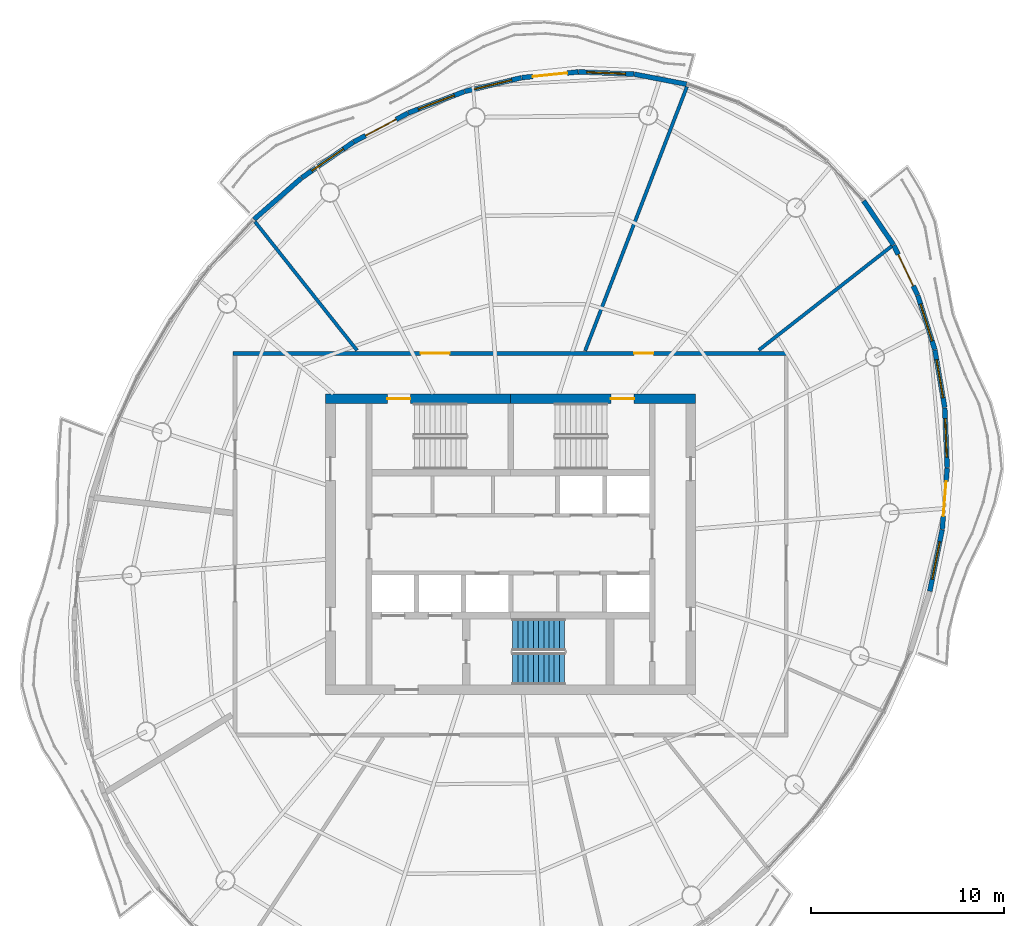
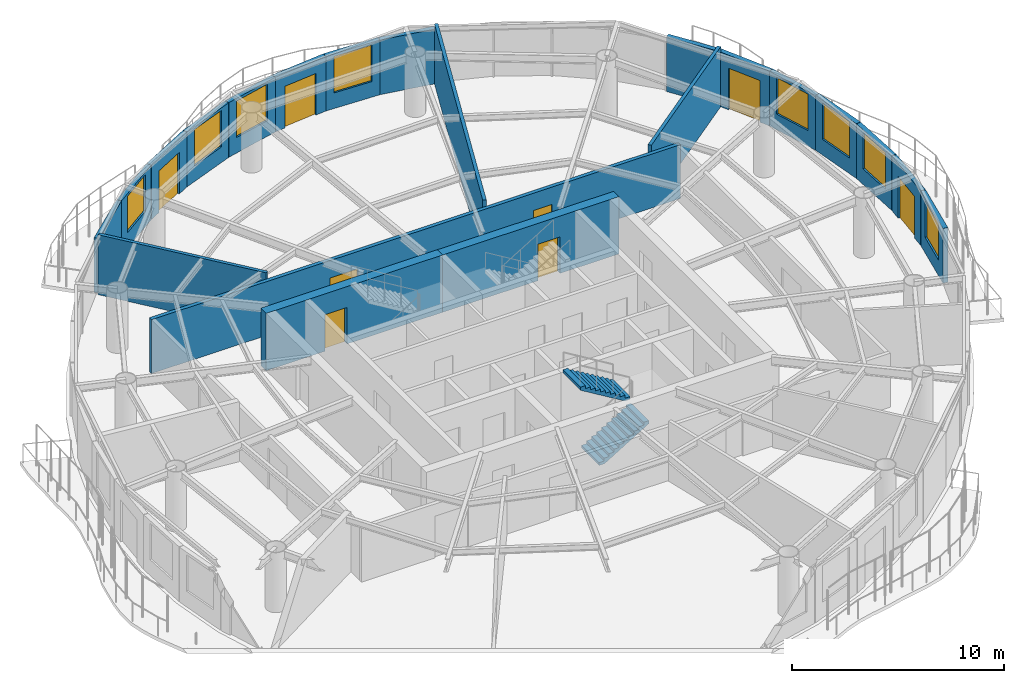
# One storey, part 10 of 15: 21 walls, 8 doors, 8 windows, 2 stair flights, 16 openings, 1 element without a shape of its own.
"""IFC4 building model written with IfcOpenShell, lengths in metres."""

from ifc_helpers import new_model, si_unit, direction, frame, frame_2d, origin, place, context, subcontext, project, spatial, polyline, rectangle, outline, extrude, material, layer, layer_set, type_object, element, fill, aggregate, save


model = new_model("IFC4")

# Units and contexts
model_context = context("Model", 3, precision=1e-05, world=origin(), true_north=direction((0.0, 1.0)))
body_context = subcontext(model_context, "Body", "Model", "MODEL_VIEW")
ifc_project = project(units=[si_unit("LENGTHUNIT", "METRE"), si_unit("AREAUNIT", "SQUARE_METRE"), si_unit("VOLUMEUNIT", "CUBIC_METRE"), si_unit("PLANEANGLEUNIT", "RADIAN"), si_unit("MASSUNIT", "GRAM", prefix="KILO")], contexts=[model_context])

# Site, building, storey
site_placement = place(None, origin())
site = spatial("IfcSite", under=ifc_project, at=site_placement, CompositionType="ELEMENT")
building_placement = place(site_placement, origin())
building = spatial("IfcBuilding", under=site, at=building_placement, Name="Vermilion Reach Broadcast Tower", CompositionType="ELEMENT")
storey_placement = place(building_placement, frame((0.0, 0.0, 261.300048828125)))
storey = spatial("IfcBuildingStorey", under=building, at=storey_placement, Name="L64", CompositionType="ELEMENT", Elevation=261.300048828125)

# Wall, opening, door
ifc_material_1 = material(Name="Concrete C50", Category="concrete")
ifc_layer_1 = layer(ifc_material_1, 0.5)
ifc_layer_set_1 = layer_set([ifc_layer_1], Name="Core outer wall 500 mm Concrete C50")
wall_type_1 = type_object("IfcWallType", Name="Core outer wall 500 mm Concrete C50", PredefinedType="SHEAR", material=ifc_layer_set_1)
wall_1_placement = place(storey_placement, frame((3.60009765625, 7.550048828125, 0.0), z_axis=(0.0, 0.0, 1.0), x_axis=(-1.0, 0.0, 0.0)))
wall_1 = element("IfcWall", 1, at=wall_1_placement, inside=storey, type_object=wall_type_1, Name="L64 core wall onE", PredefinedType="SHEAR", context=body_context, shape_type="SweptSolid", body=[
    extrude(rectangle(XDim=9.60009765625, YDim=0.5, at=frame_2d((4.800048828125, 0.0))), origin(), (0.0, 0.0, 1.0), 3.300048828125),
])
opening_1_placement = place(wall_1_placement, frame((3.199951171875, 0.0, 0.0)))
opening_1 = element("IfcOpeningElement", 2, at=opening_1_placement, cuts=wall_1, Name="Opening D01", PredefinedType="OPENING", context=body_context, shape_type="SweptSolid", body=[
    extrude(rectangle(XDim=1.199951171875, YDim=2.10009765625, at=frame_2d((0.60009765625, 1.050048828125))), frame((0.0, 0.260009765625, 0.0), z_axis=(0.0, -1.0, 0.0), x_axis=(1.0, 0.0, 0.0)), (0.0, 0.0, 1.0), 0.52001953125),
])
ifc_material_2 = material(Name="Painted steel fire door", Category="steel")
door_type_1 = type_object("IfcDoorType", Name="Stair door 1200 x 2100", OperationType="DOUBLE_DOOR_SINGLE_SWING", PredefinedType="NOTDEFINED", material=ifc_material_2)
door_1_placement = place(opening_1_placement, origin())
door_1 = element("IfcDoor", 3, at=door_1_placement, inside=storey, type_object=door_type_1, Name="L64 stair door ST2", OperationType="DOUBLE_DOOR_SINGLE_SWING", OverallHeight=2.10009765625, OverallWidth=1.199951171875, PredefinedType="NOTDEFINED", context=body_context, shape_type="SweptSolid", body=[
    extrude(rectangle(XDim=1.199951171875, YDim=2.10009765625, at=frame_2d((0.60009765625, 1.050048828125))), frame((0.0, 0.02490234375, 0.0), z_axis=(0.0, -1.0, 0.0), x_axis=(1.0, 0.0, 0.0)), (0.0, 0.0, 1.0), 0.050048828125),
])
fill(opening_1, door_1)

wall_2_placement = place(storey_placement, frame((-6.0, 7.550048828125, 0.0), z_axis=(0.0, 0.0, 1.0), x_axis=(-1.0, 0.0, 0.0)))
wall_2 = element("IfcWall", 4, at=wall_2_placement, inside=storey, type_object=wall_type_1, Name="L64 core wall onW", PredefinedType="SHEAR", context=body_context, shape_type="SweptSolid", body=[
    extrude(rectangle(XDim=9.60009765625, YDim=0.5, at=frame_2d((4.800048828125, 0.0))), origin(), (0.0, 0.0, 1.0), 3.300048828125),
])
opening_2_placement = place(wall_2_placement, frame((5.199951171875, 0.0, 0.0)))
opening_2 = element("IfcOpeningElement", 5, at=opening_2_placement, cuts=wall_2, Name="Opening D01", PredefinedType="OPENING", context=body_context, shape_type="SweptSolid", body=[
    extrude(rectangle(XDim=1.199951171875, YDim=2.10009765625, at=frame_2d((0.60009765625, 1.050048828125))), frame((0.0, 0.260009765625, 0.0), z_axis=(0.0, -1.0, 0.0), x_axis=(1.0, 0.0, 0.0)), (0.0, 0.0, 1.0), 0.52001953125),
])
door_2_placement = place(opening_2_placement, origin())
door_2 = element("IfcDoor", 6, at=door_2_placement, inside=storey, type_object=door_type_1, Name="L64 stair door ST1", OperationType="DOUBLE_DOOR_SINGLE_SWING", OverallHeight=2.10009765625, OverallWidth=1.199951171875, PredefinedType="NOTDEFINED", context=body_context, shape_type="SweptSolid", body=[
    extrude(rectangle(XDim=1.199951171875, YDim=2.10009765625, at=frame_2d((0.60009765625, 1.050048828125))), frame((0.0, 0.02490234375, 0.0), z_axis=(0.0, -1.0, 0.0), x_axis=(1.0, 0.0, 0.0)), (0.0, 0.0, 1.0), 0.050048828125),
])
fill(opening_2, door_2)

# Walls
ifc_material_3 = material(Name="Fire-rated block, plastered")
ifc_layer_2 = layer(ifc_material_3, 0.175048828125)
ifc_layer_set_2 = layer_set([ifc_layer_2], Name="Partition 175 fire-rated block")
wall_type_2 = type_object("IfcWallType", Name="Partition 175 fire-rated block", PredefinedType="PARTITIONING", material=ifc_layer_set_2)
wall_3_placement = place(storey_placement, frame((3.145263671875, 23.735595703125, 0.0), z_axis=(0.0, 0.0, 1.0), x_axis=(-0.359540454633, -0.933129498774, 0.0)))
element("IfcWall", 7, at=wall_3_placement, inside=storey, type_object=wall_type_2, Name="Partition 64.01", PredefinedType="PARTITIONING", context=body_context, shape_type="SweptSolid", body=[
    extrude(rectangle(XDim=14.686279296875, YDim=0.175048828125, at=frame_2d((7.34326171875, 0.0))), origin(), (0.0, 0.0, 1.0), 3.449951171875),
])
wall_4_placement = place(storey_placement, frame((-19.268798828125, 16.729736328125, 0.0), z_axis=(0.0, 0.0, 1.0), x_axis=(0.621411694678, -0.783484208978, 0.0)))
element("IfcWall", 8, at=wall_4_placement, inside=storey, type_object=wall_type_2, Name="Partition 64.02", PredefinedType="PARTITIONING", context=body_context, shape_type="SweptSolid", body=[
    extrude(rectangle(XDim=8.52001953125, YDim=0.175048828125, at=frame_2d((4.260009765625, 0.0))), origin(), (0.0, 0.0, 1.0), 3.449951171875),
])
wall_5_placement = place(storey_placement, frame((13.7646484375, 15.457275390625, 0.0), z_axis=(0.0, 0.0, 1.0), x_axis=(-0.787708163729, -0.616048576651, 0.0)))
element("IfcWall", 9, at=wall_5_placement, inside=storey, type_object=wall_type_2, Name="Partition 64.09", PredefinedType="PARTITIONING", context=body_context, shape_type="SweptSolid", body=[
    extrude(rectangle(XDim=8.746826171875, YDim=0.175048828125, at=frame_2d((4.37353515625, 0.0))), origin(), (0.0, 0.0, 1.0), 3.449951171875),
])
ifc_material_4 = material(Name="Terracotta rainscreen cladding", Category="masonry")
ifc_layer_3 = layer(ifc_material_4, 0.25)
ifc_layer_set_3 = layer_set([ifc_layer_3], Name="Terracotta rainscreen wall 250")
wall_type_3 = type_object("IfcWallType", Name="Terracotta rainscreen wall 250", PredefinedType="SOLIDWALL", material=ifc_layer_set_3)
wall_6_placement = place(storey_placement, frame((3.124267578125, 23.866455078125, 0.0), z_axis=(0.0, 0.0, 1.0), x_axis=(-0.982095327887, 0.188384625018, 0.0)))
element("IfcWall", 10, at=wall_6_placement, inside=storey, type_object=wall_type_3, Name="External wall L64 02", PredefinedType="SOLIDWALL", context=body_context, shape_type="SweptSolid", body=[
    extrude(rectangle(XDim=2.759033203125, YDim=0.25, at=frame_2d((1.37939453125, 0.0))), origin(), (0.0, 0.0, 1.0), 3.14990234375),
])

# Wall, opening, window
wall_7_placement = place(storey_placement, frame((0.38818359375, 24.389404296875, 0.0), z_axis=(0.0, 0.0, 1.0), x_axis=(-0.999183295278, 0.040407207744, 0.0)))
wall_7 = element("IfcWall", 11, at=wall_7_placement, inside=storey, type_object=wall_type_3, Name="External wall L64 03", PredefinedType="SOLIDWALL", context=body_context, shape_type="SweptSolid", body=[
    extrude(rectangle(XDim=2.864013671875, YDim=0.25, at=frame_2d((1.43212890625, 0.0))), origin(), (0.0, 0.0, 1.0), 3.14990234375),
])
opening_3_placement = place(wall_7_placement, frame((0.431884765625, 0.0, 0.89990234375)))
opening_3 = element("IfcOpeningElement", 12, at=opening_3_placement, cuts=wall_7, Name="Opening W03", PredefinedType="OPENING", context=body_context, shape_type="SweptSolid", body=[
    extrude(rectangle(XDim=2.0, YDim=2.10009765625, at=frame_2d((1.0, 1.050048828125))), frame((0.0, 0.135009765625, 0.0), z_axis=(0.0, -1.0, 0.0), x_axis=(1.0, 0.0, 0.0)), (0.0, 0.0, 1.0), 0.27001953125),
])
ifc_material_5 = material(Name="Low-e laminated clear glass in aluminium frame", Category="aluminium")
window_type = type_object("IfcWindowType", Name="Punched window 2000 x 2100 sill 900", PartitioningType="SINGLE_PANEL", PredefinedType="WINDOW", material=ifc_material_5)
window_1_placement = place(opening_3_placement, origin())
window_1 = element("IfcWindow", 13, at=window_1_placement, inside=storey, type_object=window_type, Name="Window L64 03", OverallHeight=2.10009765625, OverallWidth=2.0, PartitioningType="SINGLE_PANEL", PredefinedType="WINDOW", context=body_context, shape_type="SweptSolid", body=[
    extrude(rectangle(XDim=2.0, YDim=2.10009765625, at=frame_2d((1.0, 1.050048828125))), frame((0.0, 0.030029296875, 0.0), z_axis=(0.0, -1.0, 0.0), x_axis=(1.0, 0.0, 0.0)), (0.0, 0.0, 1.0), 0.06005859375),
])
fill(opening_3, window_1)

# Wall, opening, door
wall_8_placement = place(storey_placement, frame((-2.4990234375, 24.50439453125, 0.0), z_axis=(0.0, 0.0, 1.0), x_axis=(-0.99482112725, -0.101641156908, 0.0)))
wall_8 = element("IfcWall", 14, at=wall_8_placement, inside=storey, type_object=wall_type_3, Name="External wall L64 04", PredefinedType="SOLIDWALL", context=body_context, shape_type="SweptSolid", body=[
    extrude(rectangle(XDim=2.93994140625, YDim=0.25, at=frame_2d((1.469970703125, 0.0))), origin(), (0.0, 0.0, 1.0), 3.14990234375),
])
opening_4_placement = place(wall_8_placement, frame((0.570068359375, 0.0, 0.0)))
opening_4 = element("IfcOpeningElement", 15, at=opening_4_placement, cuts=wall_8, Name="Opening D70", PredefinedType="OPENING", context=body_context, shape_type="SweptSolid", body=[
    extrude(rectangle(XDim=1.800048828125, YDim=2.39990234375, at=frame_2d((0.89990234375, 1.199951171875))), frame((0.0, 0.135009765625, 0.0), z_axis=(0.0, -1.0, 0.0), x_axis=(1.0, 0.0, 0.0)), (0.0, 0.0, 1.0), 0.27001953125),
])
ifc_material_6 = material(Name="Low-e laminated clear glass in aluminium frame", Category="aluminium")
door_type_2 = type_object("IfcDoorType", Name="Balcony sliding door 1800 x 2400", OperationType="DOUBLE_DOOR_SLIDING", PredefinedType="DOOR", material=ifc_material_6)
door_3_placement = place(opening_4_placement, origin())
door_3 = element("IfcDoor", 16, at=door_3_placement, inside=storey, type_object=door_type_2, Name="Balcony door L64 run 01", OperationType="DOUBLE_DOOR_SLIDING", OverallHeight=2.39990234375, OverallWidth=1.800048828125, PredefinedType="DOOR", context=body_context, shape_type="SweptSolid", body=[
    extrude(rectangle(XDim=1.800048828125, YDim=2.39990234375, at=frame_2d((0.89990234375, 1.199951171875))), frame((0.0, 0.02490234375, 0.0), z_axis=(0.0, -1.0, 0.0), x_axis=(1.0, 0.0, 0.0)), (0.0, 0.0, 1.0), 0.050048828125),
])
fill(opening_4, door_3)

# Wall, opening, window
wall_9_placement = place(storey_placement, frame((-5.448486328125, 24.201416015625, 0.0), z_axis=(0.0, 0.0, 1.0), x_axis=(-0.972022459513, -0.234887926896, 0.0)))
wall_9 = element("IfcWall", 17, at=wall_9_placement, inside=storey, type_object=wall_type_3, Name="External wall L64 05", PredefinedType="SOLIDWALL", context=body_context, shape_type="SweptSolid", body=[
    extrude(rectangle(XDim=3.0224609375, YDim=0.25, at=frame_2d((1.51123046875, 0.0))), origin(), (0.0, 0.0, 1.0), 3.14990234375),
])
opening_5_placement = place(wall_9_placement, frame((0.51123046875, 0.0, 0.89990234375)))
opening_5 = element("IfcOpeningElement", 18, at=opening_5_placement, cuts=wall_9, Name="Opening W03", PredefinedType="OPENING", context=body_context, shape_type="SweptSolid", body=[
    extrude(rectangle(XDim=2.0, YDim=2.10009765625, at=frame_2d((1.0, 1.050048828125))), frame((0.0, 0.135009765625, 0.0), z_axis=(0.0, -1.0, 0.0), x_axis=(1.0, 0.0, 0.0)), (0.0, 0.0, 1.0), 0.27001953125),
])
window_2_placement = place(opening_5_placement, origin())
window_2 = element("IfcWindow", 19, at=window_2_placement, inside=storey, type_object=window_type, Name="Window L64 05", OverallHeight=2.10009765625, OverallWidth=2.0, PartitioningType="SINGLE_PANEL", PredefinedType="WINDOW", context=body_context, shape_type="SweptSolid", body=[
    extrude(rectangle(XDim=2.0, YDim=2.10009765625, at=frame_2d((1.0, 1.050048828125))), frame((0.0, 0.030029296875, 0.0), z_axis=(0.0, -1.0, 0.0), x_axis=(1.0, 0.0, 0.0)), (0.0, 0.0, 1.0), 0.06005859375),
])
fill(opening_5, window_2)

wall_10_placement = place(storey_placement, frame((-8.409423828125, 23.484375, 0.0), z_axis=(0.0, 0.0, 1.0), x_axis=(-0.93395615703, -0.357387600156, 0.0)))
wall_10 = element("IfcWall", 20, at=wall_10_placement, inside=storey, type_object=wall_type_3, Name="External wall L64 06", PredefinedType="SOLIDWALL", context=body_context, shape_type="SweptSolid", body=[
    extrude(rectangle(XDim=3.10546875, YDim=0.25, at=frame_2d((1.552734375, 0.0))), origin(), (0.0, 0.0, 1.0), 3.14990234375),
])
opening_6_placement = place(wall_10_placement, frame((0.552734375, 0.0, 0.89990234375)))
opening_6 = element("IfcOpeningElement", 21, at=opening_6_placement, cuts=wall_10, Name="Opening W03", PredefinedType="OPENING", context=body_context, shape_type="SweptSolid", body=[
    extrude(rectangle(XDim=2.0, YDim=2.10009765625, at=frame_2d((1.0, 1.050048828125))), frame((0.0, 0.135009765625, 0.0), z_axis=(0.0, -1.0, 0.0), x_axis=(1.0, 0.0, 0.0)), (0.0, 0.0, 1.0), 0.27001953125),
])
window_3_placement = place(opening_6_placement, origin())
window_3 = element("IfcWindow", 22, at=window_3_placement, inside=storey, type_object=window_type, Name="Window L64 06", OverallHeight=2.10009765625, OverallWidth=2.0, PartitioningType="SINGLE_PANEL", PredefinedType="WINDOW", context=body_context, shape_type="SweptSolid", body=[
    extrude(rectangle(XDim=2.0, YDim=2.10009765625, at=frame_2d((1.0, 1.050048828125))), frame((0.0, 0.030029296875, 0.0), z_axis=(0.0, -1.0, 0.0), x_axis=(1.0, 0.0, 0.0)), (0.0, 0.0, 1.0), 0.06005859375),
])
fill(opening_6, window_3)

# Wall, opening, door
wall_11_placement = place(storey_placement, frame((-11.3310546875, 22.364990234375, 0.0), z_axis=(0.0, 0.0, 1.0), x_axis=(-0.883433244898, -0.468557042216, 0.0)))
wall_11 = element("IfcWall", 23, at=wall_11_placement, inside=storey, type_object=wall_type_3, Name="External wall L64 07", PredefinedType="SOLIDWALL", context=body_context, shape_type="SweptSolid", body=[
    extrude(rectangle(XDim=3.18359375, YDim=0.25, at=frame_2d((1.591796875, 0.0))), origin(), (0.0, 0.0, 1.0), 3.14990234375),
])
opening_7_placement = place(wall_11_placement, frame((0.69189453125, 0.0, 0.0)))
opening_7 = element("IfcOpeningElement", 24, at=opening_7_placement, cuts=wall_11, Name="Opening D70", PredefinedType="OPENING", context=body_context, shape_type="SweptSolid", body=[
    extrude(rectangle(XDim=1.800048828125, YDim=2.39990234375, at=frame_2d((0.89990234375, 1.199951171875))), frame((0.0, 0.135009765625, 0.0), z_axis=(0.0, -1.0, 0.0), x_axis=(1.0, 0.0, 0.0)), (0.0, 0.0, 1.0), 0.27001953125),
])
door_4_placement = place(opening_7_placement, origin())
door_4 = element("IfcDoor", 25, at=door_4_placement, inside=storey, type_object=door_type_2, Name="Balcony door L64 run 02", OperationType="DOUBLE_DOOR_SLIDING", OverallHeight=2.39990234375, OverallWidth=1.800048828125, PredefinedType="DOOR", context=body_context, shape_type="SweptSolid", body=[
    extrude(rectangle(XDim=1.800048828125, YDim=2.39990234375, at=frame_2d((0.89990234375, 1.199951171875))), frame((0.0, 0.02490234375, 0.0), z_axis=(0.0, -1.0, 0.0), x_axis=(1.0, 0.0, 0.0)), (0.0, 0.0, 1.0), 0.050048828125),
])
fill(opening_7, door_4)

# Wall, opening, window
wall_12_placement = place(storey_placement, frame((-14.162841796875, 20.861572265625, 0.0), z_axis=(0.0, 0.0, 1.0), x_axis=(-0.822813315807, -0.568311751885, 0.0)))
wall_12 = element("IfcWall", 26, at=wall_12_placement, inside=storey, type_object=wall_type_3, Name="External wall L64 08", PredefinedType="SOLIDWALL", context=body_context, shape_type="SweptSolid", body=[
    extrude(rectangle(XDim=3.251953125, YDim=0.25, at=frame_2d((1.6259765625, 0.0))), origin(), (0.0, 0.0, 1.0), 3.14990234375),
])
opening_8_placement = place(wall_12_placement, frame((0.6259765625, 0.0, 0.89990234375)))
opening_8 = element("IfcOpeningElement", 27, at=opening_8_placement, cuts=wall_12, Name="Opening W03", PredefinedType="OPENING", context=body_context, shape_type="SweptSolid", body=[
    extrude(rectangle(XDim=2.0, YDim=2.10009765625, at=frame_2d((1.0, 1.050048828125))), frame((0.0, 0.135009765625, 0.0), z_axis=(0.0, -1.0, 0.0), x_axis=(1.0, 0.0, 0.0)), (0.0, 0.0, 1.0), 0.27001953125),
])
window_4_placement = place(opening_8_placement, origin())
window_4 = element("IfcWindow", 28, at=window_4_placement, inside=storey, type_object=window_type, Name="Window L64 08", OverallHeight=2.10009765625, OverallWidth=2.0, PartitioningType="SINGLE_PANEL", PredefinedType="WINDOW", context=body_context, shape_type="SweptSolid", body=[
    extrude(rectangle(XDim=2.0, YDim=2.10009765625, at=frame_2d((1.0, 1.050048828125))), frame((0.0, 0.030029296875, 0.0), z_axis=(0.0, -1.0, 0.0), x_axis=(1.0, 0.0, 0.0)), (0.0, 0.0, 1.0), 0.06005859375),
])
fill(opening_8, window_4)

# Wall
wall_13_placement = place(storey_placement, frame((-16.85595703125, 18.999755859375, 0.0), z_axis=(0.0, 0.0, 1.0), x_axis=(-0.753618743279, -0.657311790385, 0.0)))
element("IfcWall", 29, at=wall_13_placement, inside=storey, type_object=wall_type_3, Name="External wall L64 09", PredefinedType="SOLIDWALL", context=body_context, shape_type="SweptSolid", body=[
    extrude(rectangle(XDim=3.2626953125, YDim=0.25, at=frame_2d((1.63134765625, 0.0))), origin(), (0.0, 0.0, 1.0), 3.14990234375),
])

# Wall, opening, window
wall_14_placement = place(storey_placement, frame((15.7490234375, -2.441650390625, 0.0), z_axis=(0.0, 0.0, 1.0), x_axis=(0.196910086412, 0.980421551104, 0.0)))
wall_14 = element("IfcWall", 30, at=wall_14_placement, inside=storey, type_object=wall_type_3, Name="External wall L64 39", PredefinedType="SOLIDWALL", context=body_context, shape_type="SweptSolid", body=[
    extrude(rectangle(XDim=3.252197265625, YDim=0.25, at=frame_2d((1.6259765625, 0.0))), origin(), (0.0, 0.0, 1.0), 3.14990234375),
])
opening_9_placement = place(wall_14_placement, frame((0.6259765625, 0.0, 0.89990234375)))
opening_9 = element("IfcOpeningElement", 31, at=opening_9_placement, cuts=wall_14, Name="Opening W03", PredefinedType="OPENING", context=body_context, shape_type="SweptSolid", body=[
    extrude(rectangle(XDim=2.0, YDim=2.10009765625, at=frame_2d((1.0, 1.050048828125))), frame((0.0, 0.135009765625, 0.0), z_axis=(0.0, -1.0, 0.0), x_axis=(1.0, 0.0, 0.0)), (0.0, 0.0, 1.0), 0.27001953125),
])
window_5_placement = place(opening_9_placement, origin())
window_5 = element("IfcWindow", 32, at=window_5_placement, inside=storey, type_object=window_type, Name="Window L64 39", OverallHeight=2.10009765625, OverallWidth=2.0, PartitioningType="SINGLE_PANEL", PredefinedType="WINDOW", context=body_context, shape_type="SweptSolid", body=[
    extrude(rectangle(XDim=2.0, YDim=2.10009765625, at=frame_2d((1.0, 1.050048828125))), frame((0.0, 0.030029296875, 0.0), z_axis=(0.0, -1.0, 0.0), x_axis=(1.0, 0.0, 0.0)), (0.0, 0.0, 1.0), 0.06005859375),
])
fill(opening_9, window_5)

# Wall, opening, door
wall_15_placement = place(storey_placement, frame((16.392578125, 0.76904296875, 0.0), z_axis=(0.0, 0.0, 1.0), x_axis=(0.081211205115, 0.996696914896, 0.0)))
wall_15 = element("IfcWall", 33, at=wall_15_placement, inside=storey, type_object=wall_type_3, Name="External wall L64 40", PredefinedType="SOLIDWALL", context=body_context, shape_type="SweptSolid", body=[
    extrude(rectangle(XDim=3.18359375, YDim=0.25, at=frame_2d((1.591796875, 0.0))), origin(), (0.0, 0.0, 1.0), 3.14990234375),
])
opening_10_placement = place(wall_15_placement, frame((0.69189453125, 0.0, 0.0)))
opening_10 = element("IfcOpeningElement", 34, at=opening_10_placement, cuts=wall_15, Name="Opening D70", PredefinedType="OPENING", context=body_context, shape_type="SweptSolid", body=[
    extrude(rectangle(XDim=1.800048828125, YDim=2.39990234375, at=frame_2d((0.89990234375, 1.199951171875))), frame((0.0, 0.135009765625, 0.0), z_axis=(0.0, -1.0, 0.0), x_axis=(1.0, 0.0, 0.0)), (0.0, 0.0, 1.0), 0.27001953125),
])
door_5_placement = place(opening_10_placement, origin())
door_5 = element("IfcDoor", 35, at=door_5_placement, inside=storey, type_object=door_type_2, Name="Balcony door L64 run 10", OperationType="DOUBLE_DOOR_SLIDING", OverallHeight=2.39990234375, OverallWidth=1.800048828125, PredefinedType="DOOR", context=body_context, shape_type="SweptSolid", body=[
    extrude(rectangle(XDim=1.800048828125, YDim=2.39990234375, at=frame_2d((0.89990234375, 1.199951171875))), frame((0.0, 0.02490234375, 0.0), z_axis=(0.0, -1.0, 0.0), x_axis=(1.0, 0.0, 0.0)), (0.0, 0.0, 1.0), 0.050048828125),
])
fill(opening_10, door_5)

# Wall, opening, window
wall_16_placement = place(storey_placement, frame((16.651611328125, 3.96533203125, 0.0), z_axis=(0.0, 0.0, 1.0), x_axis=(-0.040878469358, 0.999164126029, 0.0)))
wall_16 = element("IfcWall", 36, at=wall_16_placement, inside=storey, type_object=wall_type_3, Name="External wall L64 41", PredefinedType="SOLIDWALL", context=body_context, shape_type="SweptSolid", body=[
    extrude(rectangle(XDim=3.105712890625, YDim=0.25, at=frame_2d((1.552734375, 0.0))), origin(), (0.0, 0.0, 1.0), 3.14990234375),
])
opening_11_placement = place(wall_16_placement, frame((0.552734375, 0.0, 0.89990234375)))
opening_11 = element("IfcOpeningElement", 37, at=opening_11_placement, cuts=wall_16, Name="Opening W03", PredefinedType="OPENING", context=body_context, shape_type="SweptSolid", body=[
    extrude(rectangle(XDim=2.0, YDim=2.10009765625, at=frame_2d((1.0, 1.050048828125))), frame((0.0, 0.135009765625, 0.0), z_axis=(0.0, -1.0, 0.0), x_axis=(1.0, 0.0, 0.0)), (0.0, 0.0, 1.0), 0.27001953125),
])
window_6_placement = place(opening_11_placement, origin())
window_6 = element("IfcWindow", 38, at=window_6_placement, inside=storey, type_object=window_type, Name="Window L64 41", OverallHeight=2.10009765625, OverallWidth=2.0, PartitioningType="SINGLE_PANEL", PredefinedType="WINDOW", context=body_context, shape_type="SweptSolid", body=[
    extrude(rectangle(XDim=2.0, YDim=2.10009765625, at=frame_2d((1.0, 1.050048828125))), frame((0.0, 0.030029296875, 0.0), z_axis=(0.0, -1.0, 0.0), x_axis=(1.0, 0.0, 0.0)), (0.0, 0.0, 1.0), 0.06005859375),
])
fill(opening_11, window_6)

wall_17_placement = place(storey_placement, frame((16.522216796875, 7.09228515625, 0.0), z_axis=(0.0, 0.0, 1.0), x_axis=(-0.168497464049, 0.985702087149, 0.0)))
wall_17 = element("IfcWall", 39, at=wall_17_placement, inside=storey, type_object=wall_type_3, Name="External wall L64 42", PredefinedType="SOLIDWALL", context=body_context, shape_type="SweptSolid", body=[
    extrude(rectangle(XDim=3.0224609375, YDim=0.25, at=frame_2d((1.51123046875, 0.0))), origin(), (0.0, 0.0, 1.0), 3.14990234375),
])
opening_12_placement = place(wall_17_placement, frame((0.51123046875, 0.0, 0.89990234375)))
opening_12 = element("IfcOpeningElement", 40, at=opening_12_placement, cuts=wall_17, Name="Opening W03", PredefinedType="OPENING", context=body_context, shape_type="SweptSolid", body=[
    extrude(rectangle(XDim=2.0, YDim=2.10009765625, at=frame_2d((1.0, 1.050048828125))), frame((0.0, 0.135009765625, 0.0), z_axis=(0.0, -1.0, 0.0), x_axis=(1.0, 0.0, 0.0)), (0.0, 0.0, 1.0), 0.27001953125),
])
window_7_placement = place(opening_12_placement, origin())
window_7 = element("IfcWindow", 41, at=window_7_placement, inside=storey, type_object=window_type, Name="Window L64 42", OverallHeight=2.10009765625, OverallWidth=2.0, PartitioningType="SINGLE_PANEL", PredefinedType="WINDOW", context=body_context, shape_type="SweptSolid", body=[
    extrude(rectangle(XDim=2.0, YDim=2.10009765625, at=frame_2d((1.0, 1.050048828125))), frame((0.0, 0.030029296875, 0.0), z_axis=(0.0, -1.0, 0.0), x_axis=(1.0, 0.0, 0.0)), (0.0, 0.0, 1.0), 0.06005859375),
])
fill(opening_12, window_7)

wall_18_placement = place(storey_placement, frame((16.007080078125, 10.095703125, 0.0), z_axis=(0.0, 0.0, 1.0), x_axis=(-0.299763978955, 0.954013394519, 0.0)))
wall_18 = element("IfcWall", 42, at=wall_18_placement, inside=storey, type_object=wall_type_3, Name="External wall L64 43", PredefinedType="SOLIDWALL", context=body_context, shape_type="SweptSolid", body=[
    extrude(rectangle(XDim=2.940185546875, YDim=0.25, at=frame_2d((1.47021484375, 0.0))), origin(), (0.0, 0.0, 1.0), 3.14990234375),
])
opening_13_placement = place(wall_18_placement, frame((0.469970703125, 0.0, 0.89990234375)))
opening_13 = element("IfcOpeningElement", 43, at=opening_13_placement, cuts=wall_18, Name="Opening W03", PredefinedType="OPENING", context=body_context, shape_type="SweptSolid", body=[
    extrude(rectangle(XDim=2.0, YDim=2.10009765625, at=frame_2d((1.0, 1.050048828125))), frame((0.0, 0.135009765625, 0.0), z_axis=(0.0, -1.0, 0.0), x_axis=(1.0, 0.0, 0.0)), (0.0, 0.0, 1.0), 0.27001953125),
])
window_8_placement = place(opening_13_placement, origin())
window_8 = element("IfcWindow", 44, at=window_8_placement, inside=storey, type_object=window_type, Name="Window L64 43", OverallHeight=2.10009765625, OverallWidth=2.0, PartitioningType="SINGLE_PANEL", PredefinedType="WINDOW", context=body_context, shape_type="SweptSolid", body=[
    extrude(rectangle(XDim=2.0, YDim=2.10009765625, at=frame_2d((1.0, 1.050048828125))), frame((0.0, 0.030029296875, 0.0), z_axis=(0.0, -1.0, 0.0), x_axis=(1.0, 0.0, 0.0)), (0.0, 0.0, 1.0), 0.06005859375),
])
fill(opening_13, window_8)

# Wall, opening, door
wall_19_placement = place(storey_placement, frame((15.1162109375, 12.924560546875, 0.0), z_axis=(0.0, 0.0, 1.0), x_axis=(-0.432043625995, 0.901852707063, 0.0)))
wall_19 = element("IfcWall", 45, at=wall_19_placement, inside=storey, type_object=wall_type_3, Name="External wall L64 44", PredefinedType="SOLIDWALL", context=body_context, shape_type="SweptSolid", body=[
    extrude(rectangle(XDim=2.86376953125, YDim=0.25, at=frame_2d((1.431884765625, 0.0))), origin(), (0.0, 0.0, 1.0), 3.14990234375),
])
opening_14_placement = place(wall_19_placement, frame((0.531982421875, 0.0, 0.0)))
opening_14 = element("IfcOpeningElement", 46, at=opening_14_placement, cuts=wall_19, Name="Opening D70", PredefinedType="OPENING", context=body_context, shape_type="SweptSolid", body=[
    extrude(rectangle(XDim=1.800048828125, YDim=2.39990234375, at=frame_2d((0.89990234375, 1.199951171875))), frame((0.0, 0.135009765625, 0.0), z_axis=(0.0, -1.0, 0.0), x_axis=(1.0, 0.0, 0.0)), (0.0, 0.0, 1.0), 0.27001953125),
])
door_6_placement = place(opening_14_placement, origin())
door_6 = element("IfcDoor", 47, at=door_6_placement, inside=storey, type_object=door_type_2, Name="Balcony door L64 run 11", OperationType="DOUBLE_DOOR_SLIDING", OverallHeight=2.39990234375, OverallWidth=1.800048828125, PredefinedType="DOOR", context=body_context, shape_type="SweptSolid", body=[
    extrude(rectangle(XDim=1.800048828125, YDim=2.39990234375, at=frame_2d((0.89990234375, 1.199951171875))), frame((0.0, 0.02490234375, 0.0), z_axis=(0.0, -1.0, 0.0), x_axis=(1.0, 0.0, 0.0)), (0.0, 0.0, 1.0), 0.050048828125),
])
fill(opening_14, door_6)

# Wall
wall_20_placement = place(storey_placement, frame((13.86572265625, 15.530517578125, 0.0), z_axis=(0.0, 0.0, 1.0), x_axis=(-0.561217901017, 0.827668090226, 0.0)))
element("IfcWall", 48, at=wall_20_placement, inside=storey, type_object=wall_type_3, Name="External wall L64 45", PredefinedType="SOLIDWALL", context=body_context, shape_type="SweptSolid", body=[
    extrude(rectangle(XDim=2.7587890625, YDim=0.25, at=frame_2d((1.37939453125, 0.0))), origin(), (0.0, 0.0, 1.0), 3.14990234375),
])

# Wall, openings, doors
ifc_material_7 = material(Name="Fire-rated gypsum board partition")
ifc_layer_4 = layer(ifc_material_7, 0.199951171875)
ifc_layer_set_4 = layer_set([ifc_layer_4], Name="Under girder: Corridor wall 200 fire-rated")
wall_type_4 = type_object("IfcWallType", Name="Under girder: Corridor wall 200 fire-rated", PredefinedType="PARTITIONING", material=ifc_layer_set_4)
wall_21_placement = place(storey_placement, frame((-20.39990234375, 9.89990234375, 0.0), z_axis=(0.0, 0.0, 1.0), x_axis=(1.0, 0.0, 0.0)))
wall_21 = element("IfcWall", 49, at=wall_21_placement, inside=storey, type_object=wall_type_4, Name="Corridor wall 64.N", PredefinedType="PARTITIONING", context=body_context, shape_type="SweptSolid", body=[
    extrude(rectangle(XDim=28.7998046875, YDim=0.199951171875, at=frame_2d((14.39990234375, 0.0))), origin(), (0.0, 0.0, 1.0), 3.099853515625),
])
opening_15_placement = place(wall_21_placement, frame((9.72900390625, 0.0, 0.0)))
opening_15 = element("IfcOpeningElement", 50, at=opening_15_placement, cuts=wall_21, Name="Opening D24", PredefinedType="OPENING", context=body_context, shape_type="SweptSolid", body=[
    extrude(rectangle(XDim=1.5, YDim=2.10009765625, at=frame_2d((0.75, 1.050048828125))), frame((0.0, 0.10986328125, 0.0), z_axis=(0.0, -1.0, 0.0), x_axis=(1.0, 0.0, 0.0)), (0.0, 0.0, 1.0), 0.219970703125),
])
opening_16_placement = place(wall_21_placement, frame((20.80810546875, 0.0, 0.0)))
opening_16 = element("IfcOpeningElement", 51, at=opening_16_placement, cuts=wall_21, Name="Opening D20", PredefinedType="OPENING", context=body_context, shape_type="SweptSolid", body=[
    extrude(rectangle(XDim=1.0, YDim=2.10009765625, at=frame_2d((0.5, 1.050048828125))), frame((0.0, 0.10986328125, 0.0), z_axis=(0.0, -1.0, 0.0), x_axis=(1.0, 0.0, 0.0)), (0.0, 0.0, 1.0), 0.219970703125),
])
ifc_material_8 = material(Name="Timber door leaf", Category="wood")
door_type_3 = type_object("IfcDoorType", Name="Door pair 1500x2100", OperationType="NOTDEFINED", PredefinedType="DOOR", material=ifc_material_8)
door_7_placement = place(opening_15_placement, origin())
door_7 = element("IfcDoor", 52, at=door_7_placement, inside=storey, type_object=door_type_3, Name="Door 64.01", OperationType="DOUBLE_DOOR_SINGLE_SWING", OverallHeight=2.10009765625, OverallWidth=1.5, PredefinedType="DOOR", context=body_context, shape_type="SweptSolid", body=[
    extrude(rectangle(XDim=1.5, YDim=2.10009765625, at=frame_2d((0.75, 1.050048828125))), frame((0.0, 0.02490234375, 0.0), z_axis=(0.0, -1.0, 0.0), x_axis=(1.0, 0.0, 0.0)), (0.0, 0.0, 1.0), 0.050048828125),
])
fill(opening_15, door_7)
ifc_material_9 = material(Name="Timber door leaf", Category="wood")
door_type_4 = type_object("IfcDoorType", Name="Door single 1000x2100", OperationType="NOTDEFINED", PredefinedType="DOOR", material=ifc_material_9)
door_8_placement = place(opening_16_placement, origin())
door_8 = element("IfcDoor", 53, at=door_8_placement, inside=storey, type_object=door_type_4, Name="Door 64.09", OperationType="SINGLE_SWING_LEFT", OverallHeight=2.10009765625, OverallWidth=1.0, PredefinedType="DOOR", context=body_context, shape_type="SweptSolid", body=[
    extrude(rectangle(XDim=1.0, YDim=2.10009765625, at=frame_2d((0.5, 1.050048828125))), frame((0.0, 0.02490234375, 0.0), z_axis=(0.0, -1.0, 0.0), x_axis=(1.0, 0.0, 0.0)), (0.0, 0.0, 1.0), 0.050048828125),
])
fill(opening_16, door_8)

# Stair, stair flights
ifc_material_10 = material(Name="Concrete C40", Category="concrete")
stair_type = type_object("IfcStairType", Name="Exit stair RC 22 risers 164 mm", PredefinedType="HALF_TURN_STAIR", material=ifc_material_10)
stair_placement = place(storey_placement, origin())
stair = element("IfcStair", 54, at=stair_placement, inside=storey, type_object=stair_type, Name="L64 Exit stair ST3", PredefinedType="HALF_TURN_STAIR")
ifc_material_11 = material(Name="Concrete C40", Category="concrete")
stair_flight_type = type_object("IfcStairFlightType", Name="Exit stair flight RC 11 risers", PredefinedType="STRAIGHT", material=ifc_material_11)
stair_flight_1_placement = place(storey_placement, frame((-5.89990234375, -6.469970703125, 0.0), z_axis=(0.0, 0.0, 1.0), x_axis=(1.0, 0.0, 0.0)))
stair_flight_1 = element("IfcStairFlight", 55, at=stair_flight_1_placement, type_object=stair_flight_type, Name="ST3 flight 1", NumberOfRisers=11, NumberOfTreads=10, PredefinedType="STRAIGHT", RiserHeight=0.163636364, TreadLength=0.27, context=body_context, shape_type="SweptSolid", body=[
    extrude(outline(polyline([(0.0, 0.0), (0.0, 0.16357421875), (0.27001953125, 0.16357421875), (0.27001953125, 0.327392578125), (0.5400390625, 0.327392578125), (0.5400390625, 0.490966796875), (0.81005859375, 0.490966796875), (0.81005859375, 0.654541015625), (1.080078125, 0.654541015625), (1.080078125, 0.818115234375), (1.35009765625, 0.818115234375), (1.35009765625, 0.98193359375), (1.6201171875, 0.98193359375), (1.6201171875, 1.1455078125), (1.889892578125, 1.1455078125), (1.889892578125, 1.30908203125), (2.159912109375, 1.30908203125), (2.159912109375, 1.47265625), (2.429931640625, 1.47265625), (2.429931640625, 1.636474609375), (2.699951171875, 1.636474609375), (2.699951171875, 1.800048828125), (2.699951171875, 1.461181640625), (0.289306640625, 0.0), (0.0, 0.0)])), frame((0.0, 0.830078125, 0.0), z_axis=(0.0, -1.0, 0.0), x_axis=(1.0, 0.0, 0.0)), (0.0, 0.0, 1.0), 1.659912109375),
])
stair_flight_2_placement = place(storey_placement, frame((-3.199951171875, -4.7099609375, 1.800048828125), z_axis=(0.0, 0.0, 1.0), x_axis=(-1.0, 0.0, 0.0)))
stair_flight_2 = element("IfcStairFlight", 56, at=stair_flight_2_placement, type_object=stair_flight_type, Name="ST3 flight 2", NumberOfRisers=11, NumberOfTreads=10, PredefinedType="STRAIGHT", RiserHeight=0.163636364, TreadLength=0.27, context=body_context, shape_type="SweptSolid", body=[
    extrude(outline(polyline([(0.0, 0.0), (0.0, 0.16357421875), (0.27001953125, 0.16357421875), (0.27001953125, 0.327392578125), (0.5400390625, 0.327392578125), (0.5400390625, 0.490966796875), (0.81005859375, 0.490966796875), (0.81005859375, 0.654541015625), (1.080078125, 0.654541015625), (1.080078125, 0.818115234375), (1.35009765625, 0.818115234375), (1.35009765625, 0.98193359375), (1.6201171875, 0.98193359375), (1.6201171875, 1.1455078125), (1.889892578125, 1.1455078125), (1.889892578125, 1.30908203125), (2.159912109375, 1.30908203125), (2.159912109375, 1.47265625), (2.429931640625, 1.47265625), (2.429931640625, 1.636474609375), (2.699951171875, 1.636474609375), (2.699951171875, 1.800048828125), (2.699951171875, 1.461181640625), (0.289306640625, 0.0), (0.0, 0.0)])), frame((0.0, 0.830078125, 0.0), z_axis=(0.0, -1.0, 0.0), x_axis=(1.0, 0.0, 0.0)), (0.0, 0.0, 1.0), 1.659912109375),
])
aggregate(stair, [stair_flight_1, stair_flight_2])

save(model, "model.ifc")
